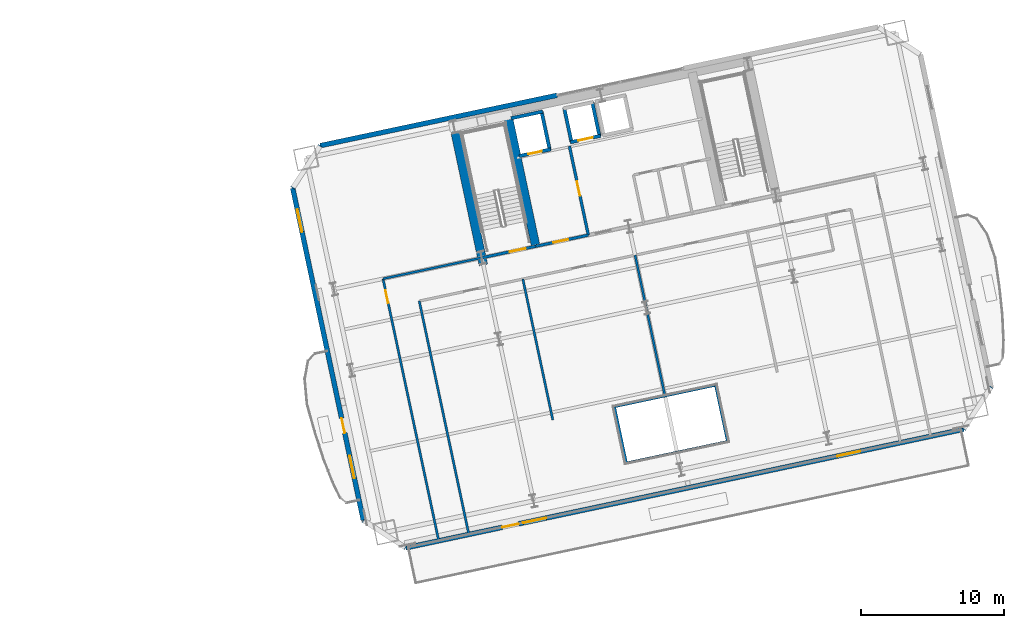
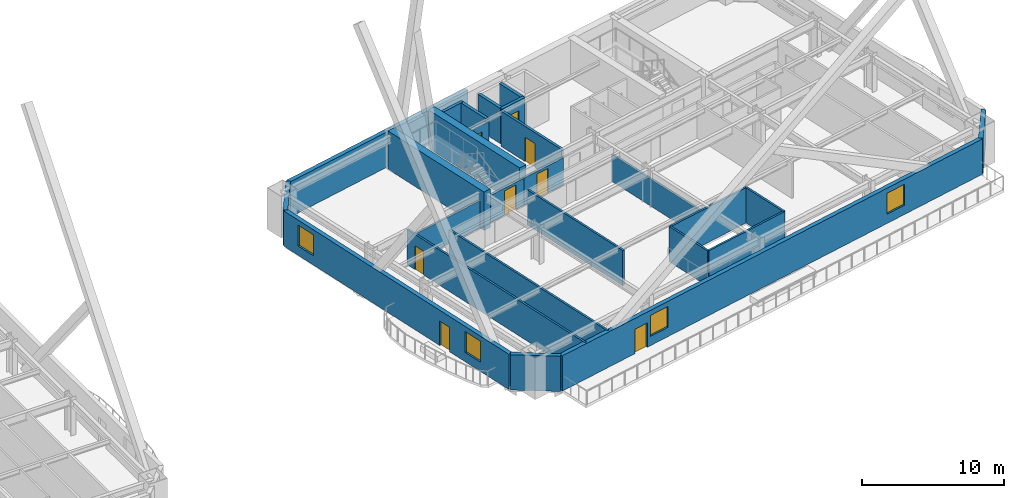
# One storey, part 13 of 22: 26 walls, 8 doors, 4 windows, 12 openings.
"""IFC4 building model written with IfcOpenShell, lengths in metres."""

from ifc_helpers import new_model, si_unit, direction, frame, frame_2d, origin, place, context, subcontext, project, spatial, rectangle, extrude, material, layer, layer_set, type_object, element, fill, save


model = new_model("IFC4")

# Units and contexts
model_context = context("Model", 3, precision=1e-05, world=origin(), true_north=direction((0.0, 1.0)))
body_context = subcontext(model_context, "Body", "Model", "MODEL_VIEW")
ifc_project = project(units=[si_unit("LENGTHUNIT", "METRE"), si_unit("AREAUNIT", "SQUARE_METRE"), si_unit("VOLUMEUNIT", "CUBIC_METRE"), si_unit("PLANEANGLEUNIT", "RADIAN"), si_unit("MASSUNIT", "GRAM", prefix="KILO")], contexts=[model_context])

# Site, building, storey
site_placement = place(None, origin())
site = spatial("IfcSite", under=ifc_project, at=site_placement, CompositionType="ELEMENT")
building_placement = place(site_placement, origin())
building = spatial("IfcBuilding", under=site, at=building_placement, Name="Haevon Station Towers", CompositionType="ELEMENT")
storey_placement = place(building_placement, frame((0.0, 0.0, 70.199951171875)))
storey = spatial("IfcBuildingStorey", under=building, at=storey_placement, Name="L18", CompositionType="ELEMENT", Elevation=70.199951171875)

# Wall, opening, door
ifc_material_1 = material(Name="Gypsum board on steel stud", Category="steel")
ifc_layer_1 = layer(ifc_material_1, 0.199951171875)
ifc_layer_set_1 = layer_set([ifc_layer_1], Name="Gypsum board on steel stud")
wall_type_1 = type_object("IfcWallType", Name="WL-COR200", PredefinedType="PARTITIONING", material=ifc_layer_set_1)
wall_1_placement = place(storey_placement, frame((98.75244140625, 37.4423828125, 0.0), z_axis=(0.0, 0.0, 1.0), x_axis=(0.978143537786, 0.207930804564, 0.0)))
wall_1 = element("IfcWall", 1, at=wall_1_placement, inside=storey, type_object=wall_type_1, Name="WL-ST-ST3-L18", PredefinedType="PARTITIONING", context=body_context, shape_type="SweptSolid", body=[
    extrude(rectangle(XDim=3.85009765625, YDim=0.199951171875, at=frame_2d((1.925048828125, 0.0))), origin(), (0.0, 0.0, 1.0), 2.330078125),
])
opening_1_placement = place(wall_1_placement, frame((2.0, 0.0, 0.0)))
opening_1 = element("IfcOpeningElement", 2, at=opening_1_placement, cuts=wall_1, Name="Opening DR-ST-ST3-L18", PredefinedType="OPENING", context=body_context, shape_type="SweptSolid", body=[
    extrude(rectangle(XDim=1.1201171875, YDim=2.10009765625, at=frame_2d((0.56005859375, 1.050048828125))), frame((0.0, 0.10986328125, 0.0), z_axis=(0.0, -1.0, 0.0), x_axis=(1.0, 0.0, 0.0)), (0.0, 0.0, 1.0), 0.219970703125),
])
ifc_material_2 = material(Name="Engineered oak timber", Category="wood")
door_type_1 = type_object("IfcDoorType", Name="DR-ST-1120", OperationType="NOTDEFINED", PredefinedType="DOOR", material=ifc_material_2)
door_1_placement = place(opening_1_placement, origin())
door_1 = element("IfcDoor", 3, at=door_1_placement, inside=storey, type_object=door_type_1, Name="L18 Escape Stair ST3 Fire Door", OperationType="SINGLE_SWING_RIGHT", OverallHeight=2.10009765625, OverallWidth=1.1201171875, PredefinedType="DOOR", context=body_context, shape_type="SweptSolid", body=[
    extrude(rectangle(XDim=1.1201171875, YDim=2.10009765625, at=frame_2d((0.56005859375, 1.050048828125))), frame((0.0, 0.02490234375, 0.0), z_axis=(0.0, -1.0, 0.0), x_axis=(1.0, 0.0, 0.0)), (0.0, 0.0, 1.0), 0.050048828125),
])
fill(opening_1, door_1)

wall_2_placement = place(storey_placement, frame((106.186279296875, 39.0224609375, 0.0), z_axis=(0.0, 0.0, 1.0), x_axis=(-0.207916691923, 0.978146537703, 0.0)))
wall_2 = element("IfcWall", 4, at=wall_2_placement, inside=storey, type_object=wall_type_1, Name="WL-T2FFL-L18-E", PredefinedType="PARTITIONING", context=body_context, shape_type="SweptSolid", body=[
    extrude(rectangle(XDim=6.35009765625, YDim=0.199951171875, at=frame_2d((3.175048828125, 0.0))), origin(), (0.0, 0.0, 1.0), 3.030029296875),
])
opening_2_placement = place(wall_2_placement, frame((2.800048828125, 0.0, 0.0)))
opening_2 = element("IfcOpeningElement", 5, at=opening_2_placement, cuts=wall_2, Name="Opening DR-T2FFL-L18-E", PredefinedType="OPENING", context=body_context, shape_type="SweptSolid", body=[
    extrude(rectangle(XDim=1.050048828125, YDim=2.10009765625, at=frame_2d((0.52490234375, 1.050048828125))), frame((0.0, 0.10986328125, 0.0), z_axis=(0.0, -1.0, 0.0), x_axis=(1.0, 0.0, 0.0)), (0.0, 0.0, 1.0), 0.219970703125),
])
door_type_2 = type_object("IfcDoorType", Name="DR-FD60-1050", OperationType="NOTDEFINED", PredefinedType="DOOR", material=ifc_material_2)
door_2_placement = place(opening_2_placement, origin())
door_2 = element("IfcDoor", 6, at=door_2_placement, inside=storey, type_object=door_type_2, Name="L18 Tower 2 Firefighting Lift Lobby Door E", OperationType="SINGLE_SWING_RIGHT", OverallHeight=2.10009765625, OverallWidth=1.050048828125, PredefinedType="DOOR", context=body_context, shape_type="SweptSolid", body=[
    extrude(rectangle(XDim=1.050048828125, YDim=2.10009765625, at=frame_2d((0.52490234375, 1.050048828125))), frame((0.0, 0.02490234375, 0.0), z_axis=(0.0, -1.0, 0.0), x_axis=(1.0, 0.0, 0.0)), (0.0, 0.0, 1.0), 0.050048828125),
])
fill(opening_2, door_2)

wall_3_placement = place(storey_placement, frame((102.518310546875, 38.242919921875, 0.0), z_axis=(0.0, 0.0, 1.0), x_axis=(0.978153555683, 0.20788367301, 0.0)))
wall_3 = element("IfcWall", 7, at=wall_3_placement, inside=storey, type_object=wall_type_1, Name="WL-T2FFL-L18-S", PredefinedType="PARTITIONING", context=body_context, shape_type="SweptSolid", body=[
    extrude(rectangle(XDim=3.75, YDim=0.199951171875, at=frame_2d((1.875, 0.0))), origin(), (0.0, 0.0, 1.0), 2.330078125),
])
opening_3_placement = place(wall_3_placement, frame((1.25, 0.0, 0.0)))
opening_3 = element("IfcOpeningElement", 8, at=opening_3_placement, cuts=wall_3, Name="Opening DR-T2FFL-L18-S", PredefinedType="OPENING", context=body_context, shape_type="SweptSolid", body=[
    extrude(rectangle(XDim=1.050048828125, YDim=2.10009765625, at=frame_2d((0.52490234375, 1.050048828125))), frame((0.0, 0.10986328125, 0.0), z_axis=(0.0, -1.0, 0.0), x_axis=(1.0, 0.0, 0.0)), (0.0, 0.0, 1.0), 0.219970703125),
])
door_3_placement = place(opening_3_placement, origin())
door_3 = element("IfcDoor", 9, at=door_3_placement, inside=storey, type_object=door_type_2, Name="L18 Tower 2 Firefighting Lift Lobby Door S", OperationType="SINGLE_SWING_LEFT", OverallHeight=2.10009765625, OverallWidth=1.050048828125, PredefinedType="DOOR", context=body_context, shape_type="SweptSolid", body=[
    extrude(rectangle(XDim=1.050048828125, YDim=2.10009765625, at=frame_2d((0.52490234375, 1.050048828125))), frame((0.0, 0.02490234375, 0.0), z_axis=(0.0, -1.0, 0.0), x_axis=(1.0, 0.0, 0.0)), (0.0, 0.0, 1.0), 0.050048828125),
])
fill(opening_3, door_3)

# Walls
ifc_material_3 = material(Name="Concrete C60/75", Category="concrete")
ifc_layer_2 = layer(ifc_material_3, 0.60009765625)
ifc_layer_set_2 = layer_set([ifc_layer_2], Name="Concrete C60/75")
wall_type_2 = type_object("IfcWallType", Name="WL-CR600", PredefinedType="SHEAR", material=ifc_layer_set_2)
wall_4_placement = place(storey_placement, frame((98.8603515625, 36.933837890625, 0.0), z_axis=(0.0, 0.0, 1.0), x_axis=(-0.20790924889, 0.978148119778, 0.0)))
element("IfcWall", 10, at=wall_4_placement, inside=storey, type_object=wall_type_2, Name="WL-T2CR-L18-W", PredefinedType="SHEAR", context=body_context, shape_type="SweptSolid", body=[
    extrude(rectangle(XDim=10.119873046875, YDim=0.60009765625, at=frame_2d((5.06005859375, 0.0))), origin(), (0.0, 0.0, 1.0), 3.300048828125),
])
wall_5_placement = place(storey_placement, frame((102.518310546875, 38.242919921875, 0.0), z_axis=(0.0, 0.0, 1.0), x_axis=(-0.207927495108, 0.978144241295, 0.0)))
element("IfcWall", 11, at=wall_5_placement, inside=storey, type_object=wall_type_2, Name="WL-T2CR-L18-M1", PredefinedType="SHEAR", context=body_context, shape_type="SweptSolid", body=[
    extrude(rectangle(XDim=9.599853515625, YDim=0.60009765625, at=frame_2d((4.7998046875, 0.0))), origin(), (0.0, 0.0, 1.0), 3.300048828125),
])

# Wall, openings, door, windows
ifc_material_4 = material(Name="Precast concrete C45/55", Category="concrete")
ifc_layer_3 = layer(ifc_material_4, 0.340087890625)
ifc_layer_set_3 = layer_set([ifc_layer_3], Name="Precast concrete C45/55")
wall_type_3 = type_object("IfcWallType", Name="WL-EXT-PIER340", PredefinedType="SOLIDWALL", material=ifc_layer_set_3)
wall_6_placement = place(storey_placement, frame((132.3759765625, 25.4716796875, 0.0), z_axis=(0.0, 0.0, 1.0), x_axis=(-0.978147406386, -0.20791260515, 0.0)))
wall_6 = element("IfcWall", 12, at=wall_6_placement, inside=storey, type_object=wall_type_3, Name="WL-T2-L18-S", PredefinedType="SOLIDWALL", context=body_context, shape_type="SweptSolid", body=[
    extrude(rectangle(XDim=39.7998046875, YDim=0.340087890625, at=frame_2d((19.89990234375, 0.0))), origin(), (0.0, 0.0, 1.0), 3.030029296875),
])
opening_4_placement = place(wall_6_placement, frame((31.75927734375, 0.0, 0.0)))
opening_4 = element("IfcOpeningElement", 13, at=opening_4_placement, cuts=wall_6, Name="Opening DR-T2-SKYG-L18", PredefinedType="OPENING", context=body_context, shape_type="SweptSolid", body=[
    extrude(rectangle(XDim=1.14990234375, YDim=2.10009765625, at=frame_2d((0.574951171875, 1.050048828125))), frame((0.0, 0.179931640625, 0.0), z_axis=(0.0, -1.0, 0.0), x_axis=(1.0, 0.0, 0.0)), (0.0, 0.0, 1.0), 0.360107421875),
])
opening_5_placement = place(wall_6_placement, frame((29.78271484375, 0.0, 0.800048828125)))
opening_5 = element("IfcOpeningElement", 14, at=opening_5_placement, cuts=wall_6, Name="Opening WN-P165", PredefinedType="OPENING", context=body_context, shape_type="SweptSolid", body=[
    extrude(rectangle(XDim=1.64990234375, YDim=1.800048828125, at=frame_2d((0.824951171875, 0.89990234375))), frame((0.0, 0.179931640625, 0.0), z_axis=(0.0, -1.0, 0.0), x_axis=(1.0, 0.0, 0.0)), (0.0, 0.0, 1.0), 0.360107421875),
])
opening_6_placement = place(wall_6_placement, frame((7.37109375, 0.0, 0.800048828125)))
opening_6 = element("IfcOpeningElement", 15, at=opening_6_placement, cuts=wall_6, Name="Opening WN-P165", PredefinedType="OPENING", context=body_context, shape_type="SweptSolid", body=[
    extrude(rectangle(XDim=1.64990234375, YDim=1.800048828125, at=frame_2d((0.824951171875, 0.89990234375))), frame((0.0, 0.179931640625, 0.0), z_axis=(0.0, -1.0, 0.0), x_axis=(1.0, 0.0, 0.0)), (0.0, 0.0, 1.0), 0.360107421875),
])
ifc_material_5 = material(Name="Thermally broken anodised aluminium and laminated safety glass", Category="aluminium")
door_type_3 = type_object("IfcDoorType", Name="DR-BALC-1150", OperationType="NOTDEFINED", PredefinedType="DOOR", material=ifc_material_5)
door_4_placement = place(opening_4_placement, origin())
door_4 = element("IfcDoor", 16, at=door_4_placement, inside=storey, type_object=door_type_3, Name="Tower 2 L18 Sky Garden Terrace Door", OperationType="SINGLE_SWING_LEFT", OverallHeight=2.10009765625, OverallWidth=1.14990234375, PredefinedType="DOOR", context=body_context, shape_type="SweptSolid", body=[
    extrude(rectangle(XDim=1.14990234375, YDim=2.10009765625, at=frame_2d((0.574951171875, 1.050048828125))), frame((0.0, 0.02490234375, 0.0), z_axis=(0.0, -1.0, 0.0), x_axis=(1.0, 0.0, 0.0)), (0.0, 0.0, 1.0), 0.050048828125),
])
fill(opening_4, door_4)
ifc_material_6 = material(Name="Low-E triple glazing in thermally broken aluminium", Category="aluminium")
window_type_1 = type_object("IfcWindowType", Name="WN-P165", PartitioningType="SINGLE_PANEL", PredefinedType="WINDOW", material=ifc_material_6)
window_1_placement = place(opening_5_placement, origin())
window_1 = element("IfcWindow", 17, at=window_1_placement, inside=storey, type_object=window_type_1, Name="WN-T2-L18-S01", OverallHeight=1.800048828125, OverallWidth=1.64990234375, PartitioningType="SINGLE_PANEL", PredefinedType="WINDOW", context=body_context, shape_type="SweptSolid", body=[
    extrude(rectangle(XDim=1.64990234375, YDim=1.800048828125, at=frame_2d((0.824951171875, 0.89990234375))), frame((0.0, 0.030029296875, 0.0), z_axis=(0.0, -1.0, 0.0), x_axis=(1.0, 0.0, 0.0)), (0.0, 0.0, 1.0), 0.06005859375),
])
fill(opening_5, window_1)
window_2_placement = place(opening_6_placement, origin())
window_2 = element("IfcWindow", 18, at=window_2_placement, inside=storey, type_object=window_type_1, Name="WN-T2-L18-S02", OverallHeight=1.800048828125, OverallWidth=1.64990234375, PartitioningType="SINGLE_PANEL", PredefinedType="WINDOW", context=body_context, shape_type="SweptSolid", body=[
    extrude(rectangle(XDim=1.64990234375, YDim=1.800048828125, at=frame_2d((0.824951171875, 0.89990234375))), frame((0.0, 0.030029296875, 0.0), z_axis=(0.0, -1.0, 0.0), x_axis=(1.0, 0.0, 0.0)), (0.0, 0.0, 1.0), 0.06005859375),
])
fill(opening_6, window_2)

# Wall
wall_7_placement = place(storey_placement, frame((93.44580078125, 17.19677734375, 0.0), z_axis=(0.0, 0.0, 1.0), x_axis=(-0.838692791597, 0.544604812064, 0.0)))
element("IfcWall", 19, at=wall_7_placement, inside=storey, type_object=wall_type_3, Name="WL-T2-L18-SWC", PredefinedType="SOLIDWALL", context=body_context, shape_type="SweptSolid", body=[
    extrude(rectangle(XDim=3.53564453125, YDim=0.340087890625, at=frame_2d((1.767822265625, 0.0))), origin(), (0.0, 0.0, 1.0), 3.030029296875),
])

# Wall, openings, door, windows
wall_8_placement = place(storey_placement, frame((90.48046875, 19.122314453125, 0.0), z_axis=(0.0, 0.0, 1.0), x_axis=(-0.20791074704, 0.978147801339, 0.0)))
wall_8 = element("IfcWall", 20, at=wall_8_placement, inside=storey, type_object=wall_type_3, Name="WL-T2-L18-W", PredefinedType="SOLIDWALL", context=body_context, shape_type="SweptSolid", body=[
    extrude(rectangle(XDim=23.699951171875, YDim=0.340087890625, at=frame_2d((11.85009765625, 0.0))), origin(), (0.0, 0.0, 1.0), 3.030029296875),
])
opening_7_placement = place(wall_8_placement, frame((6.22509765625, 0.0, 0.0)))
opening_7 = element("IfcOpeningElement", 21, at=opening_7_placement, cuts=wall_8, Name="Opening DR-T2-SCAL-L18-W", PredefinedType="OPENING", context=body_context, shape_type="SweptSolid", body=[
    extrude(rectangle(XDim=1.050048828125, YDim=2.10009765625, at=frame_2d((0.52490234375, 1.050048828125))), frame((0.0, 0.179931640625, 0.0), z_axis=(0.0, -1.0, 0.0), x_axis=(1.0, 0.0, 0.0)), (0.0, 0.0, 1.0), 0.360107421875),
])
opening_8_placement = place(wall_8_placement, frame((2.996337890625, 0.0, 0.800048828125)))
opening_8 = element("IfcOpeningElement", 22, at=opening_8_placement, cuts=wall_8, Name="Opening WN-END160", PredefinedType="OPENING", context=body_context, shape_type="SweptSolid", body=[
    extrude(rectangle(XDim=1.60009765625, YDim=1.800048828125, at=frame_2d((0.800048828125, 0.89990234375))), frame((0.0, 0.179931640625, 0.0), z_axis=(0.0, -1.0, 0.0), x_axis=(1.0, 0.0, 0.0)), (0.0, 0.0, 1.0), 0.360107421875),
])
opening_9_placement = place(wall_8_placement, frame((20.56787109375, 0.0, 0.800048828125)))
opening_9 = element("IfcOpeningElement", 23, at=opening_9_placement, cuts=wall_8, Name="Opening WN-END160", PredefinedType="OPENING", context=body_context, shape_type="SweptSolid", body=[
    extrude(rectangle(XDim=1.60009765625, YDim=1.800048828125, at=frame_2d((0.800048828125, 0.89990234375))), frame((0.0, 0.179931640625, 0.0), z_axis=(0.0, -1.0, 0.0), x_axis=(1.0, 0.0, 0.0)), (0.0, 0.0, 1.0), 0.360107421875),
])
door_type_4 = type_object("IfcDoorType", Name="DR-BALC-1050", OperationType="NOTDEFINED", PredefinedType="DOOR", material=ifc_material_5)
door_5_placement = place(opening_7_placement, origin())
door_5 = element("IfcDoor", 24, at=door_5_placement, inside=storey, type_object=door_type_4, Name="Tower 2 L18 West Scalloped Balcony Door", OperationType="SINGLE_SWING_RIGHT", OverallHeight=2.10009765625, OverallWidth=1.050048828125, PredefinedType="DOOR", context=body_context, shape_type="SweptSolid", body=[
    extrude(rectangle(XDim=1.050048828125, YDim=2.10009765625, at=frame_2d((0.52490234375, 1.050048828125))), frame((0.0, 0.02490234375, 0.0), z_axis=(0.0, -1.0, 0.0), x_axis=(1.0, 0.0, 0.0)), (0.0, 0.0, 1.0), 0.050048828125),
])
fill(opening_7, door_5)
window_type_2 = type_object("IfcWindowType", Name="WN-END160", PartitioningType="SINGLE_PANEL", PredefinedType="WINDOW", material=ifc_material_6)
window_3_placement = place(opening_8_placement, origin())
window_3 = element("IfcWindow", 25, at=window_3_placement, inside=storey, type_object=window_type_2, Name="WN-T2-L18-W01", OverallHeight=1.800048828125, OverallWidth=1.60009765625, PartitioningType="SINGLE_PANEL", PredefinedType="WINDOW", context=body_context, shape_type="SweptSolid", body=[
    extrude(rectangle(XDim=1.60009765625, YDim=1.800048828125, at=frame_2d((0.800048828125, 0.89990234375))), frame((0.0, 0.030029296875, 0.0), z_axis=(0.0, -1.0, 0.0), x_axis=(1.0, 0.0, 0.0)), (0.0, 0.0, 1.0), 0.06005859375),
])
fill(opening_8, window_3)
window_4_placement = place(opening_9_placement, origin())
window_4 = element("IfcWindow", 26, at=window_4_placement, inside=storey, type_object=window_type_2, Name="WN-T2-L18-W02", OverallHeight=1.800048828125, OverallWidth=1.60009765625, PartitioningType="SINGLE_PANEL", PredefinedType="WINDOW", context=body_context, shape_type="SweptSolid", body=[
    extrude(rectangle(XDim=1.60009765625, YDim=1.800048828125, at=frame_2d((0.800048828125, 0.89990234375))), frame((0.0, 0.030029296875, 0.0), z_axis=(0.0, -1.0, 0.0), x_axis=(1.0, 0.0, 0.0)), (0.0, 0.0, 1.0), 0.06005859375),
])
fill(opening_9, window_4)

# Walls
wall_9_placement = place(storey_placement, frame((85.552978515625, 42.304443359375, 0.0), z_axis=(0.0, 0.0, 1.0), x_axis=(0.544684921471, 0.838640767148, 0.0)))
element("IfcWall", 27, at=wall_9_placement, inside=storey, type_object=wall_type_3, Name="WL-T2-L18-NWC", PredefinedType="SOLIDWALL", context=body_context, shape_type="SweptSolid", body=[
    extrude(rectangle(XDim=3.53564453125, YDim=0.340087890625, at=frame_2d((1.767822265625, 0.0))), origin(), (0.0, 0.0, 1.0), 3.030029296875),
])
wall_10_placement = place(storey_placement, frame((87.478759765625, 45.26953125, 0.0), z_axis=(0.0, 0.0, 1.0), x_axis=(0.978147577918, 0.207911798157, 0.0)))
element("IfcWall", 28, at=wall_10_placement, inside=storey, type_object=wall_type_3, Name="WL-T2-L18-N1", PredefinedType="SOLIDWALL", context=body_context, shape_type="SweptSolid", body=[
    extrude(rectangle(XDim=16.89990234375, YDim=0.340087890625, at=frame_2d((8.449951171875, 0.0))), origin(), (0.0, 0.0, 1.0), 3.030029296875),
])
wall_11_placement = place(storey_placement, frame((134.301513671875, 28.436767578125, 0.0), z_axis=(0.0, 0.0, 1.0), x_axis=(-0.544636352948, -0.838672309694, 0.0)))
element("IfcWall", 29, at=wall_11_placement, inside=storey, type_object=wall_type_3, Name="WL-T2-L18-SEC", PredefinedType="SOLIDWALL", context=body_context, shape_type="SweptSolid", body=[
    extrude(rectangle(XDim=3.535400390625, YDim=0.340087890625, at=frame_2d((1.767578125, 0.0))), origin(), (0.0, 0.0, 1.0), 3.030029296875),
])
ifc_layer_4 = layer(ifc_material_1, 0.159912109375)
ifc_layer_set_4 = layer_set([ifc_layer_4], Name="Gypsum board on steel stud")
wall_type_4 = type_object("IfcWallType", Name="WL-PRT160", PredefinedType="PARTITIONING", material=ifc_layer_set_4)
wall_12_placement = place(storey_placement, frame((97.847412109375, 18.13232421875, 0.0), z_axis=(0.0, 0.0, 1.0), x_axis=(-0.20790856066, 0.978148266064, 0.0)))
element("IfcWall", 30, at=wall_12_placement, inside=storey, type_object=wall_type_4, Name="WL-T2PT-L18-01", PredefinedType="PARTITIONING", context=body_context, shape_type="SweptSolid", body=[
    extrude(rectangle(XDim=16.64990234375, YDim=0.159912109375, at=frame_2d((8.324951171875, 0.0))), origin(), (0.0, 0.0, 1.0), 3.030029296875),
])
wall_13_placement = place(storey_placement, frame((91.8564453125, 35.9765625, 0.0), z_axis=(0.0, 0.0, 1.0), x_axis=(0.978146703791, 0.207915910556, 0.0)))
element("IfcWall", 31, at=wall_13_placement, inside=storey, type_object=wall_type_4, Name="WL-T2PT-L18-03", PredefinedType="PARTITIONING", context=body_context, shape_type="SweptSolid", body=[
    extrude(rectangle(XDim=7.050048828125, YDim=0.159912109375, at=frame_2d((3.52490234375, 0.0))), origin(), (0.0, 0.0, 1.0), 2.330078125),
])

# Wall, opening, door
wall_14_placement = place(storey_placement, frame((95.744384765625, 17.685302734375, 0.0), z_axis=(0.0, 0.0, 1.0), x_axis=(-0.207912313426, 0.978147468394, 0.0)))
wall_14 = element("IfcWall", 32, at=wall_14_placement, inside=storey, type_object=wall_type_4, Name="WL-T2PT-L18-05", PredefinedType="PARTITIONING", context=body_context, shape_type="SweptSolid", body=[
    extrude(rectangle(XDim=18.699951171875, YDim=0.159912109375, at=frame_2d((9.35009765625, 0.0))), origin(), (0.0, 0.0, 1.0), 3.030029296875),
])
opening_10_placement = place(wall_14_placement, frame((16.969970703125, 0.0, 0.0)))
opening_10 = element("IfcOpeningElement", 33, at=opening_10_placement, cuts=wall_14, Name="Opening DR-WL-T2PT-L18-05-01", PredefinedType="OPENING", context=body_context, shape_type="SweptSolid", body=[
    extrude(rectangle(XDim=0.89990234375, YDim=2.050048828125, at=frame_2d((0.449951171875, 1.02490234375))), frame((0.0, 0.08984375, 0.0), z_axis=(0.0, -1.0, 0.0), x_axis=(1.0, 0.0, 0.0)), (0.0, 0.0, 1.0), 0.179931640625),
])
door_type_5 = type_object("IfcDoorType", Name="DR-INT-900", OperationType="NOTDEFINED", PredefinedType="DOOR", material=ifc_material_2)
door_6_placement = place(opening_10_placement, origin())
door_6 = element("IfcDoor", 34, at=door_6_placement, inside=storey, type_object=door_type_5, Name="L18 Tower 2 Room Door 5-1", OperationType="SINGLE_SWING_RIGHT", OverallHeight=2.050048828125, OverallWidth=0.89990234375, PredefinedType="DOOR", context=body_context, shape_type="SweptSolid", body=[
    extrude(rectangle(XDim=0.89990234375, YDim=2.050048828125, at=frame_2d((0.449951171875, 1.02490234375))), frame((0.0, 0.02490234375, 0.0), z_axis=(0.0, -1.0, 0.0), x_axis=(1.0, 0.0, 0.0)), (0.0, 0.0, 1.0), 0.050048828125),
])
fill(opening_10, door_6)

# Walls
for number, where, z_axis, x_axis, name in (
    (35, (108.848876953125, 23.12890625, 0.0), (0.0, 0.0, 1.0), (0.978151869997, 0.207891604498, 0.0), "WL-T2PT-L18-07"),
    (36, (108.017333984375, 27.04150390625, 0.0), (0.0, 0.0, 1.0), (0.978151869997, 0.207891604498, 0.0), "WL-T2PT-L18-08"),
):
    element("IfcWall", number, at=place(storey_placement, frame(where, z_axis=z_axis, x_axis=x_axis)), inside=storey, type_object=wall_type_4, Name=name, PredefinedType="PARTITIONING", context=body_context, shape_type="SweptSolid", body=[
        extrude(rectangle(XDim=7.199951171875, YDim=0.159912109375, at=frame_2d((3.60009765625, 0.0))), origin(), (0.0, 0.0, 1.0), 3.030029296875),
    ])
for number, where, z_axis, x_axis, name in (
    (37, (108.848876953125, 23.12890625, 0.0), (0.0, 0.0, 1.0), (-0.207886494942, 0.978152955943, 0.0), "WL-T2PT-L18-09"),
    (38, (115.8916015625, 24.625732421875, 0.0), (0.0, 0.0, 1.0), (-0.207886494942, 0.978152955943, 0.0), "WL-T2PT-L18-10"),
):
    element("IfcWall", number, at=place(storey_placement, frame(where, z_axis=z_axis, x_axis=x_axis)), inside=storey, type_object=wall_type_4, Name=name, PredefinedType="PARTITIONING", context=body_context, shape_type="SweptSolid", body=[
        extrude(rectangle(XDim=4.0, YDim=0.159912109375, at=frame_2d((2.0, 0.0))), origin(), (0.0, 0.0, 1.0), 3.030029296875),
    ])
wall_15_placement = place(storey_placement, frame((103.70556640625, 26.125, 0.0), z_axis=(0.0, 0.0, 1.0), x_axis=(-0.207897978629, 0.978150515249, 0.0)))
element("IfcWall", 39, at=wall_15_placement, inside=storey, type_object=wall_type_4, Name="WL-T2PT-L18-11", PredefinedType="PARTITIONING", context=body_context, shape_type="SweptSolid", body=[
    extrude(rectangle(XDim=10.0498046875, YDim=0.159912109375, at=frame_2d((5.02490234375, 0.0))), origin(), (0.0, 0.0, 1.0), 3.030029296875),
])
wall_16_placement = place(storey_placement, frame((111.53857421875, 27.789794921875, 0.0), z_axis=(0.0, 0.0, 1.0), x_axis=(-0.207893038664, 0.978151565186, 0.0)))
element("IfcWall", 40, at=wall_16_placement, inside=storey, type_object=wall_type_4, Name="WL-T2PT-L18-12", PredefinedType="PARTITIONING", context=body_context, shape_type="SweptSolid", body=[
    extrude(rectangle(XDim=10.050048828125, YDim=0.159912109375, at=frame_2d((5.02490234375, 0.0))), origin(), (0.0, 0.0, 1.0), 2.330078125),
])

# Wall, opening, door
ifc_material_7 = material(Name="Concrete C40/50", Category="concrete")
ifc_layer_5 = layer(ifc_material_7, 0.239990234375)
ifc_layer_set_5 = layer_set([ifc_layer_5], Name="Concrete C40/50")
wall_type_5 = type_object("IfcWallType", Name="WL-SHF240", PredefinedType="PARTITIONING", material=ifc_layer_set_5)
wall_17_placement = place(storey_placement, frame((101.353759765625, 44.538330078125, 0.0), z_axis=(0.0, 0.0, 1.0), x_axis=(0.978141002414, 0.207942731049, 0.0)))
wall_17 = element("IfcWall", 41, at=wall_17_placement, inside=storey, type_object=wall_type_5, Name="WL-SHF-FL2-L18", PredefinedType="PARTITIONING", context=body_context, shape_type="SweptSolid", body=[
    extrude(rectangle(XDim=2.260009765625, YDim=0.239990234375, at=frame_2d((1.1298828125, 0.0))), origin(), (0.0, 0.0, 1.0), 2.72998046875),
])
opening_11_placement = place(wall_17_placement, frame((0.655029296875, 0.0, 0.0)))
opening_11 = element("IfcOpeningElement", 42, at=opening_11_placement, cuts=wall_17, Name="Opening LD-FL2-L18", PredefinedType="OPENING", context=body_context, shape_type="SweptSolid", body=[
    extrude(rectangle(XDim=0.949951171875, YDim=2.14990234375, at=frame_2d((0.47509765625, 1.074951171875))), frame((0.0, 0.1298828125, 0.0), z_axis=(0.0, -1.0, 0.0), x_axis=(1.0, 0.0, 0.0)), (0.0, 0.0, 1.0), 0.260009765625),
])
ifc_material_8 = material(Name="Stainless steel and rated core", Category="steel")
door_type_6 = type_object("IfcDoorType", Name="LD-FL950", OperationType="SLIDING_TO_LEFT", PredefinedType="DOOR", material=ifc_material_8)
door_7_placement = place(opening_11_placement, origin())
door_7 = element("IfcDoor", 43, at=door_7_placement, inside=storey, type_object=door_type_6, Name="L18 Lift FL2 Sliding Landing Door", OperationType="SLIDING_TO_LEFT", OverallHeight=2.14990234375, OverallWidth=0.949951171875, PredefinedType="DOOR", context=body_context, shape_type="SweptSolid", body=[
    extrude(rectangle(XDim=0.949951171875, YDim=2.14990234375, at=frame_2d((0.47509765625, 1.074951171875))), frame((0.0, 0.02490234375, 0.0), z_axis=(0.0, -1.0, 0.0), x_axis=(1.0, 0.0, 0.0)), (0.0, 0.0, 1.0), 0.050048828125),
])
fill(opening_11, door_7)

# Walls
wall_18_placement = place(storey_placement, frame((100.79248046875, 47.179443359375, 0.0), z_axis=(0.0, 0.0, 1.0), x_axis=(0.978162968872, 0.207839376268, 0.0)))
element("IfcWall", 44, at=wall_18_placement, inside=storey, type_object=wall_type_5, Name="WL-SHF-FL2-L18-N", PredefinedType="PARTITIONING", context=body_context, shape_type="SweptSolid", body=[
    extrude(rectangle(XDim=2.260009765625, YDim=0.239990234375, at=frame_2d((1.1298828125, 0.0))), origin(), (0.0, 0.0, 1.0), 3.030029296875),
])
wall_19_placement = place(storey_placement, frame((103.486328125, 44.99169921875, 0.0), z_axis=(0.0, 0.0, 1.0), x_axis=(-0.207978798957, 0.978133334052, 0.0)))
element("IfcWall", 45, at=wall_19_placement, inside=storey, type_object=wall_type_5, Name="WL-SHF-FL2-L18-E", PredefinedType="PARTITIONING", context=body_context, shape_type="SweptSolid", body=[
    extrude(rectangle(XDim=2.699951171875, YDim=0.239990234375, at=frame_2d((1.35009765625, 0.0))), origin(), (0.0, 0.0, 1.0), 3.030029296875),
])

# Wall, opening, door
wall_20_placement = place(storey_placement, frame((104.931396484375, 45.503173828125, 0.0), z_axis=(0.0, 0.0, 1.0), x_axis=(0.97813528961, 0.207969601673, 0.0)))
wall_20 = element("IfcWall", 46, at=wall_20_placement, inside=storey, type_object=wall_type_5, Name="WL-SHF-PL7-L18", PredefinedType="PARTITIONING", context=body_context, shape_type="SweptSolid", body=[
    extrude(rectangle(XDim=2.159912109375, YDim=0.239990234375, at=frame_2d((1.080078125, 0.0))), origin(), (0.0, 0.0, 1.0), 3.030029296875),
])
opening_12_placement = place(wall_20_placement, frame((0.554931640625, 0.0, 0.0)))
opening_12 = element("IfcOpeningElement", 47, at=opening_12_placement, cuts=wall_20, Name="Opening LD-PL7-L18", PredefinedType="OPENING", context=body_context, shape_type="SweptSolid", body=[
    extrude(rectangle(XDim=1.050048828125, YDim=2.14990234375, at=frame_2d((0.52490234375, 1.074951171875))), frame((0.0, 0.1298828125, 0.0), z_axis=(0.0, -1.0, 0.0), x_axis=(1.0, 0.0, 0.0)), (0.0, 0.0, 1.0), 0.260009765625),
])
door_type_7 = type_object("IfcDoorType", Name="LD-PL1050", OperationType="SLIDING_TO_LEFT", PredefinedType="DOOR", material=ifc_material_8)
door_8_placement = place(opening_12_placement, origin())
door_8 = element("IfcDoor", 48, at=door_8_placement, inside=storey, type_object=door_type_7, Name="L18 Lift PL7 Sliding Landing Door", OperationType="SLIDING_TO_LEFT", OverallHeight=2.14990234375, OverallWidth=1.050048828125, PredefinedType="DOOR", context=body_context, shape_type="SweptSolid", body=[
    extrude(rectangle(XDim=1.050048828125, YDim=2.14990234375, at=frame_2d((0.52490234375, 1.074951171875))), frame((0.0, 0.02490234375, 0.0), z_axis=(0.0, -1.0, 0.0), x_axis=(1.0, 0.0, 0.0)), (0.0, 0.0, 1.0), 0.050048828125),
])
fill(opening_12, door_8)

# Walls
wall_21_placement = place(storey_placement, frame((105.009765625, 45.519775390625, 0.0), z_axis=(0.0, 0.0, 1.0), x_axis=(-0.207917150959, 0.978146440129, 0.0)))
element("IfcWall", 49, at=wall_21_placement, inside=storey, type_object=wall_type_5, Name="WL-SHF-PL7-L18-W", PredefinedType="PARTITIONING", context=body_context, shape_type="SweptSolid", body=[
    extrude(rectangle(XDim=2.400146484375, YDim=0.239990234375, at=frame_2d((1.2001953125, 0.0))), origin(), (0.0, 0.0, 1.0), 3.030029296875),
])
wall_22_placement = place(storey_placement, frame((106.966064453125, 45.935791015625, 0.0), z_axis=(0.0, 0.0, 1.0), x_axis=(-0.207937840262, 0.978142042133, 0.0)))
element("IfcWall", 50, at=wall_22_placement, inside=storey, type_object=wall_type_5, Name="WL-SHF-PL7-L18-E", PredefinedType="PARTITIONING", context=body_context, shape_type="SweptSolid", body=[
    extrude(rectangle(XDim=2.39990234375, YDim=0.239990234375, at=frame_2d((1.199951171875, 0.0))), origin(), (0.0, 0.0, 1.0), 3.030029296875),
])

save(model, "model.ifc")
